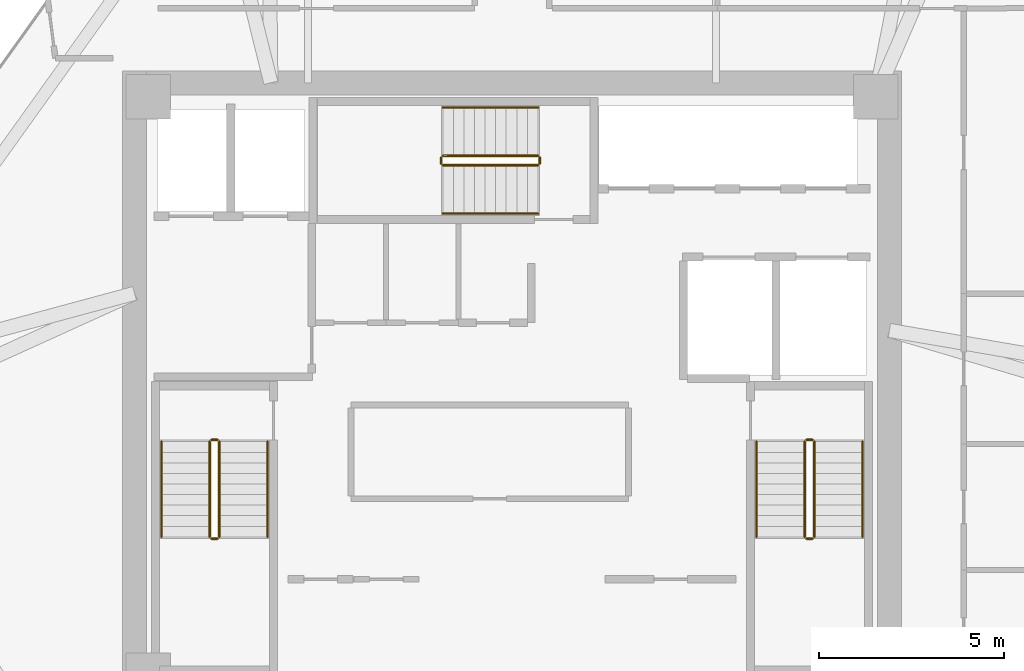
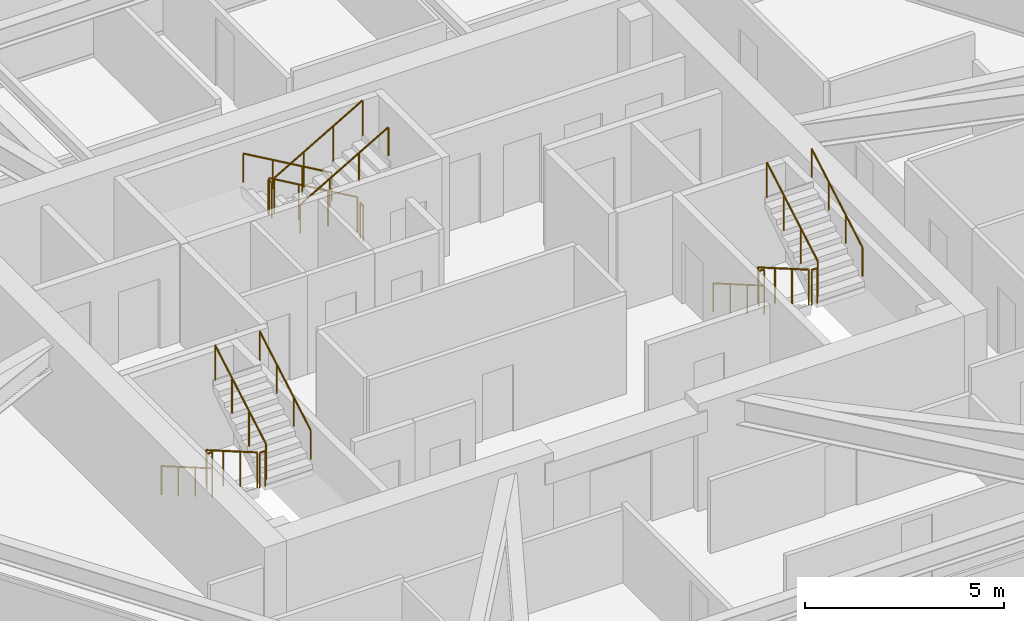
# One storey, part 11 of 11: 18 railings.
"""IFC4 building model written with IfcOpenShell, lengths in metres."""

import ifcopenshell
import ifcopenshell.guid

model = None  # the IFC model being written
_history = None  # IfcOwnerHistory: only IFC2X3 demands one
_inside = {}  # id of a spatial element -> (the spatial element, [elements in it])
_under = {}  # id of a project, library or spatial element -> (it, [spatial elements below it])
_declared = {}  # id of a project -> (the project, [libraries it declares])
_typed = {}  # id of a type object -> (the type object, [elements of that type])
_made_of = {}  # id of a material, layer set ... -> (it, [elements and type objects made of it])


def new_model(schema):
    """Start an empty IFC model of exactly this schema.

    Asked for "IFC4X3", IfcOpenShell would pick the latest addendum, in which some entities
    have other attributes; the version numbers below select the first issue.
    IFC2X3 requires an IfcOwnerHistory on every rooted entity: one is made here for all.
    """
    global model, _history
    if schema == "IFC4X3":
        model = ifcopenshell.file(schema_version=(4, 3, 0, 0))
    else:
        model = ifcopenshell.file(schema=schema)
    _inside.clear()
    _under.clear()
    _declared.clear()
    _typed.clear()
    _made_of.clear()
    _history = None
    if model.schema == "IFC2X3":
        org = make("IfcOrganization", Name="unknown")
        user = make(
            "IfcPersonAndOrganization",
            ThePerson=make("IfcPerson", FamilyName="unknown"),
            TheOrganization=org,
        )
        app = make(
            "IfcApplication",
            ApplicationDeveloper=org,
            Version="unknown",
            ApplicationFullName="unknown",
            ApplicationIdentifier="unknown",
        )
        _history = make(
            "IfcOwnerHistory",
            OwningUser=user,
            OwningApplication=app,
            ChangeAction="ADDED",
            CreationDate=0,
        )
    return model


def make(cls, **values):
    """One entity of the class cls with the attributes given. An attribute that is None is left unset."""
    return model.create_entity(
        cls, **{name: value for name, value in values.items() if value is not None}
    )


def rooted(cls, **values):
    """An entity with a GlobalId (a new one), such as an element, a storey or a relation."""
    return make(cls, GlobalId=ifcopenshell.guid.new(), OwnerHistory=_history, **values)


def si_unit(unit_type, name, prefix=None):
    """IfcSIUnit, for example si_unit("LENGTHUNIT", "METRE", prefix="MILLI")."""
    return make("IfcSIUnit", UnitType=unit_type, Prefix=prefix, Name=name)


def assignment(units):
    """IfcUnitAssignment: the units of a project."""
    return None if units is None else make("IfcUnitAssignment", Units=units)


def point(xyz):
    """IfcCartesianPoint."""
    return None if xyz is None else make("IfcCartesianPoint", Coordinates=xyz)


def direction(xyz):
    """IfcDirection."""
    return None if xyz is None else make("IfcDirection", DirectionRatios=xyz)


def frame(location, z_axis=None, x_axis=None):
    """IfcAxis2Placement3D, a coordinate frame: its origin and axes. An axis left out is left unset."""
    return make(
        "IfcAxis2Placement3D",
        Location=point(location),
        Axis=direction(z_axis),
        RefDirection=direction(x_axis),
    )


def frame_2d(location, x_axis=None):
    """IfcAxis2Placement2D, a coordinate frame in the plane: its origin and x axis."""
    return make(
        "IfcAxis2Placement2D", Location=point(location), RefDirection=direction(x_axis)
    )


def origin():
    """The frame at (0, 0, 0) with its axes left unset."""
    return frame((0.0, 0.0, 0.0))


def origin_2d():
    """The frame at (0, 0) in the plane with its x axis left unset."""
    return frame_2d((0.0, 0.0))


def place(relative_to, where):
    """IfcLocalPlacement: puts the frame where relative to a parent placement (None: the world)."""
    return make(
        "IfcLocalPlacement", PlacementRelTo=relative_to, RelativePlacement=where
    )


def context(
    kind, dimensions, precision=None, world=None, true_north=None, identifier=None
):
    """IfcGeometricRepresentationContext, for example the 3D "Model" context."""
    return make(
        "IfcGeometricRepresentationContext",
        ContextIdentifier=identifier,
        ContextType=kind,
        CoordinateSpaceDimension=dimensions,
        Precision=precision,
        WorldCoordinateSystem=world,
        TrueNorth=true_north,
    )


def subcontext(parent, identifier, kind, view, scale=None):
    """IfcGeometricRepresentationSubContext, for example "Body" below "Model"."""
    return make(
        "IfcGeometricRepresentationSubContext",
        ContextIdentifier=identifier,
        ContextType=kind,
        ParentContext=parent,
        TargetScale=scale,
        TargetView=view,
    )


def project(units=None, contexts=None):
    """IfcProject with its units and contexts."""
    return rooted(
        "IfcProject",
        Name="project",
        RepresentationContexts=contexts,
        UnitsInContext=assignment(units),
    )


def spatial(cls, under=None, at=None, **own):
    """A site, building, storey or space (cls), placed at a placement, below another one or the project."""
    s = rooted(cls, ObjectPlacement=at, **own)
    if under is not None:
        _under.setdefault(under.id(), (under, []))[1].append(s)
    return s


def profile(cls, at=None, kind="AREA", **sizes):
    """A parametric profile (cls). Its sizes go by their IFC names, for example OverallWidth=200.0."""
    return make(cls, ProfileType=kind, Position=at, **sizes)


def circle(**sizes):
    """IfcCircleProfileDef."""
    return profile("IfcCircleProfileDef", **sizes)


def extrude(swept, where, along, depth):
    """IfcExtrudedAreaSolid: the profile swept, set in the frame where, extruded along a direction by depth."""
    return make(
        "IfcExtrudedAreaSolid",
        SweptArea=swept,
        Position=where,
        ExtrudedDirection=direction(along),
        Depth=depth,
    )


def shape(context_of_items, identifier, shape_type, items):
    """IfcShapeRepresentation: the items that make up one representation, for example the "Body"."""
    return make(
        "IfcShapeRepresentation",
        ContextOfItems=context_of_items,
        RepresentationIdentifier=identifier,
        RepresentationType=shape_type,
        Items=items,
    )


def material(Name=None, Category=None):
    """IfcMaterial."""
    return make("IfcMaterial", Name=Name, Category=Category)


def made_of(thing, what):
    """Note that an element or type object is made of a material, layer set ...; save() writes the relation."""
    if what is not None:
        _made_of.setdefault(what.id(), (what, []))[1].append(thing)
    return thing


def type_object(cls, material=None, **own):
    """A type object (cls), such as IfcWallType, which elements share."""
    return made_of(rooted(cls, **own), material)


def element(
    cls,
    number,
    at=None,
    inside=None,
    cuts=None,
    type_object=None,
    material=None,
    context=None,
    identifier="Body",
    shape_type=None,
    held_by="IfcProductDefinitionShape",
    body=None,
    shapes=None,
    **own,
):
    """One element of the class cls, such as IfcWall. Its Tag is "e" and its number.

    at: its placement. inside: the storey or other place that contains it. cuts: it is an
    opening in that element (IfcRelVoidsElement). A single representation is given by context,
    identifier, shape_type and body (its items); several are given by shapes. held_by: the class
    of the entity that holds the representations. save() writes the other relations.
    """
    e = rooted(cls, Tag="e%d" % number, ObjectPlacement=at, **own)
    if body is not None:
        shapes = [shape(context, identifier, shape_type, body)]
    if shapes is not None:
        e.Representation = make(held_by, Representations=shapes)
    if inside is not None:
        _inside.setdefault(inside.id(), (inside, []))[1].append(e)
    if cuts is not None:
        rooted(
            "IfcRelVoidsElement", RelatingBuildingElement=cuts, RelatedOpeningElement=e
        )
    if type_object is not None:
        _typed.setdefault(type_object.id(), (type_object, []))[1].append(e)
    return made_of(e, material)


def aggregate(whole, parts):
    """IfcRelAggregates: a whole, such as a stair, and the parts it consists of."""
    return rooted("IfcRelAggregates", RelatingObject=whole, RelatedObjects=parts)


def save(model, path):
    """Write the relations noted so far, then the file.

    IfcRelAggregates (storeys below a building ...), IfcRelContainedInSpatialStructure (elements
    in a storey), IfcRelDefinesByType, IfcRelAssociatesMaterial and IfcRelDeclares: one each for
    every whole, place, type object, material and project.
    """
    for whole, parts in _under.values():
        aggregate(whole, parts)
    for where, things in _inside.values():
        rooted(
            "IfcRelContainedInSpatialStructure",
            RelatedElements=things,
            RelatingStructure=where,
        )
    for kind, things in _typed.values():
        rooted("IfcRelDefinesByType", RelatedObjects=things, RelatingType=kind)
    for what, things in _made_of.values():
        rooted("IfcRelAssociatesMaterial", RelatedObjects=things, RelatingMaterial=what)
    for by, libraries in _declared.values():
        rooted("IfcRelDeclares", RelatingContext=by, RelatedDefinitions=libraries)
    model.write(path)


model = new_model("IFC4")

# Units and contexts
model_context = context("Model", 3, precision=1e-05, world=origin(), true_north=direction((0.0, 1.0)))
body_context = subcontext(model_context, "Body", "Model", "MODEL_VIEW")
ifc_project = project(units=[si_unit("LENGTHUNIT", "METRE"), si_unit("AREAUNIT", "SQUARE_METRE"), si_unit("VOLUMEUNIT", "CUBIC_METRE"), si_unit("PLANEANGLEUNIT", "RADIAN"), si_unit("MASSUNIT", "GRAM", prefix="KILO")], contexts=[model_context])

# Site, building, storey
site_placement = place(None, origin())
site = spatial("IfcSite", under=ifc_project, at=site_placement, CompositionType="ELEMENT")
building_placement = place(site_placement, origin())
building = spatial("IfcBuilding", under=site, at=building_placement, Name="Durnholm Broadcast Tower", CompositionType="ELEMENT")
storey_placement = place(building_placement, frame((0.0, 0.0, 190.300048828125)))
storey = spatial("IfcBuildingStorey", under=building, at=storey_placement, Name="L52", CompositionType="ELEMENT", Elevation=190.300048828125)

# Railings
ifc_material_1 = material(Name="Painted Tubular Steel Stair Guardrail", Category="steel")
railing_type_1 = type_object("IfcRailingType", Name="RAIL-ST-GRD", PredefinedType="GUARDRAIL", material=ifc_material_1)
railing_1_placement = place(storey_placement, frame((-8.14990234375, -1.5, 0.1650390625)))
element("IfcRailing", 1, at=railing_1_placement, inside=storey, type_object=railing_type_1, Name="L52 ST-1 stair guard 1", PredefinedType="GUARDRAIL", context=body_context, shape_type="SweptSolid", body=[
    extrude(circle(Radius=0.02392578125, at=origin_2d()), frame((0.0, 0.0, 1.076171875), z_axis=(0.0, -0.865441324677, 0.50101029285), x_axis=(1.0, 0.0, 0.0)), (0.0, 0.0, 1.0), 2.963623046875),
    extrude(circle(Radius=0.02099609375, at=origin_2d()), origin(), (0.0, 0.0, 1.0), 1.052001953125),
    extrude(circle(Radius=0.02099609375, at=origin_2d()), frame((0.0, -0.85498046875, 0.494873046875)), (0.0, 0.0, 1.0), 1.052001953125),
    extrude(circle(Radius=0.02099609375, at=origin_2d()), frame((0.0, -1.7099609375, 0.989990234375)), (0.0, 0.0, 1.0), 1.052001953125),
    extrude(circle(Radius=0.02099609375, at=origin_2d()), frame((0.0, -2.56494140625, 1.48486328125)), (0.0, 0.0, 1.0), 1.052001953125),
])
railing_2_placement = place(storey_placement, frame((-8.10009765625, -4.114990234375, 1.64990234375)))
element("IfcRailing", 2, at=railing_2_placement, inside=storey, type_object=railing_type_1, Name="L52 ST-1 stair guard 2", PredefinedType="GUARDRAIL", context=body_context, shape_type="SweptSolid", body=[
    extrude(circle(Radius=0.02392578125, at=origin_2d()), frame((0.0, 0.0, 1.076171875), z_axis=(1.0, 0.0, 0.0), x_axis=(0.0, 1.0, 0.0)), (0.0, 0.0, 1.0), 0.16015625),
    extrude(circle(Radius=0.02099609375, at=origin_2d()), origin(), (0.0, 0.0, 1.0), 1.052001953125),
    extrude(circle(Radius=0.02099609375, at=origin_2d()), frame((0.16015625, 0.0, 0.0)), (0.0, 0.0, 1.0), 1.052001953125),
])
railing_3_placement = place(storey_placement, frame((-7.889892578125, -4.06494140625, 1.81494140625)))
element("IfcRailing", 3, at=railing_3_placement, inside=storey, type_object=railing_type_1, Name="L52 ST-1 stair guard 3", PredefinedType="GUARDRAIL", context=body_context, shape_type="SweptSolid", body=[
    extrude(circle(Radius=0.02392578125, at=origin_2d()), frame((0.0, 0.0, 1.076171875), z_axis=(0.0, 0.865405606168, 0.501071987656), x_axis=(-1.0, 0.0, 0.0)), (0.0, 0.0, 1.0), 2.9638671875),
    extrude(circle(Radius=0.02099609375, at=origin_2d()), origin(), (0.0, 0.0, 1.0), 1.052001953125),
    extrude(circle(Radius=0.02099609375, at=origin_2d()), frame((0.0, 0.85498046875, 0.4951171875)), (0.0, 0.0, 1.0), 1.052001953125),
    extrude(circle(Radius=0.02099609375, at=origin_2d()), frame((0.0, 1.7099609375, 0.989990234375)), (0.0, 0.0, 1.0), 1.052001953125),
    extrude(circle(Radius=0.02099609375, at=origin_2d()), frame((0.0, 2.56494140625, 1.485107421875)), (0.0, 0.0, 1.0), 1.052001953125),
])
railing_4_placement = place(storey_placement, frame((-8.10009765625, -1.449951171875, 0.0)))
element("IfcRailing", 4, at=railing_4_placement, inside=storey, type_object=railing_type_1, Name="L52 ST-1 stair guard 4", PredefinedType="GUARDRAIL", context=body_context, shape_type="SweptSolid", body=[
    extrude(circle(Radius=0.02392578125, at=origin_2d()), frame((0.0, 0.0, 1.076171875), z_axis=(1.0, 0.0, 0.0), x_axis=(0.0, 1.0, 0.0)), (0.0, 0.0, 1.0), 0.16015625),
    extrude(circle(Radius=0.02099609375, at=origin_2d()), origin(), (0.0, 0.0, 1.0), 1.052001953125),
    extrude(circle(Radius=0.02099609375, at=origin_2d()), frame((0.16015625, 0.0, 0.0)), (0.0, 0.0, 1.0), 1.052001953125),
])
railing_5_placement = place(storey_placement, frame((7.889892578125, -1.5, 0.1650390625)))
element("IfcRailing", 5, at=railing_5_placement, inside=storey, type_object=railing_type_1, Name="L52 ST-2 stair guard 1", PredefinedType="GUARDRAIL", context=body_context, shape_type="SweptSolid", body=[
    extrude(circle(Radius=0.02392578125, at=origin_2d()), frame((0.0, 0.0, 1.076171875), z_axis=(0.0, -0.865441324677, 0.50101029285), x_axis=(1.0, 0.0, 0.0)), (0.0, 0.0, 1.0), 2.963623046875),
    extrude(circle(Radius=0.02099609375, at=origin_2d()), origin(), (0.0, 0.0, 1.0), 1.052001953125),
    extrude(circle(Radius=0.02099609375, at=origin_2d()), frame((0.0, -0.85498046875, 0.494873046875)), (0.0, 0.0, 1.0), 1.052001953125),
    extrude(circle(Radius=0.02099609375, at=origin_2d()), frame((0.0, -1.7099609375, 0.989990234375)), (0.0, 0.0, 1.0), 1.052001953125),
    extrude(circle(Radius=0.02099609375, at=origin_2d()), frame((0.0, -2.56494140625, 1.48486328125)), (0.0, 0.0, 1.0), 1.052001953125),
])
railing_6_placement = place(storey_placement, frame((7.93994140625, -4.114990234375, 1.64990234375)))
element("IfcRailing", 6, at=railing_6_placement, inside=storey, type_object=railing_type_1, Name="L52 ST-2 stair guard 2", PredefinedType="GUARDRAIL", context=body_context, shape_type="SweptSolid", body=[
    extrude(circle(Radius=0.02392578125, at=origin_2d()), frame((0.0, 0.0, 1.076171875), z_axis=(1.0, 0.0, 0.0), x_axis=(0.0, 1.0, 0.0)), (0.0, 0.0, 1.0), 0.16015625),
    extrude(circle(Radius=0.02099609375, at=origin_2d()), origin(), (0.0, 0.0, 1.0), 1.052001953125),
    extrude(circle(Radius=0.02099609375, at=origin_2d()), frame((0.16015625, 0.0, 0.0)), (0.0, 0.0, 1.0), 1.052001953125),
])
railing_7_placement = place(storey_placement, frame((8.14990234375, -4.06494140625, 1.81494140625)))
element("IfcRailing", 7, at=railing_7_placement, inside=storey, type_object=railing_type_1, Name="L52 ST-2 stair guard 3", PredefinedType="GUARDRAIL", context=body_context, shape_type="SweptSolid", body=[
    extrude(circle(Radius=0.02392578125, at=origin_2d()), frame((0.0, 0.0, 1.076171875), z_axis=(0.0, 0.865405606168, 0.501071987656), x_axis=(-1.0, 0.0, 0.0)), (0.0, 0.0, 1.0), 2.9638671875),
    extrude(circle(Radius=0.02099609375, at=origin_2d()), origin(), (0.0, 0.0, 1.0), 1.052001953125),
    extrude(circle(Radius=0.02099609375, at=origin_2d()), frame((0.0, 0.85498046875, 0.4951171875)), (0.0, 0.0, 1.0), 1.052001953125),
    extrude(circle(Radius=0.02099609375, at=origin_2d()), frame((0.0, 1.7099609375, 0.989990234375)), (0.0, 0.0, 1.0), 1.052001953125),
    extrude(circle(Radius=0.02099609375, at=origin_2d()), frame((0.0, 2.56494140625, 1.485107421875)), (0.0, 0.0, 1.0), 1.052001953125),
])
railing_8_placement = place(storey_placement, frame((7.93994140625, -1.449951171875, 0.0)))
element("IfcRailing", 8, at=railing_8_placement, inside=storey, type_object=railing_type_1, Name="L52 ST-2 stair guard 4", PredefinedType="GUARDRAIL", context=body_context, shape_type="SweptSolid", body=[
    extrude(circle(Radius=0.02392578125, at=origin_2d()), frame((0.0, 0.0, 1.076171875), z_axis=(1.0, 0.0, 0.0), x_axis=(0.0, 1.0, 0.0)), (0.0, 0.0, 1.0), 0.16015625),
    extrude(circle(Radius=0.02099609375, at=origin_2d()), origin(), (0.0, 0.0, 1.0), 1.052001953125),
    extrude(circle(Radius=0.02099609375, at=origin_2d()), frame((0.16015625, 0.0, 0.0)), (0.0, 0.0, 1.0), 1.052001953125),
])
railing_9_placement = place(storey_placement, frame((0.699951171875, 6.2099609375, 0.1650390625)))
element("IfcRailing", 9, at=railing_9_placement, inside=storey, type_object=railing_type_1, Name="L52 ST-3 stair guard 1", PredefinedType="GUARDRAIL", context=body_context, shape_type="SweptSolid", body=[
    extrude(circle(Radius=0.02392578125, at=origin_2d()), frame((0.0, 0.0, 1.076171875), z_axis=(-0.865441324677, 0.0, 0.50101029285), x_axis=(0.0, -1.0, 0.0)), (0.0, 0.0, 1.0), 2.963623046875),
    extrude(circle(Radius=0.02099609375, at=origin_2d()), origin(), (0.0, 0.0, 1.0), 1.052001953125),
    extrude(circle(Radius=0.02099609375, at=origin_2d()), frame((-0.85498046875, 0.0, 0.494873046875)), (0.0, 0.0, 1.0), 1.052001953125),
    extrude(circle(Radius=0.02099609375, at=origin_2d()), frame((-1.7099609375, 0.0, 0.989990234375)), (0.0, 0.0, 1.0), 1.052001953125),
    extrude(circle(Radius=0.02099609375, at=origin_2d()), frame((-2.56494140625, 0.0, 1.48486328125)), (0.0, 0.0, 1.0), 1.052001953125),
])
railing_10_placement = place(storey_placement, frame((-1.9150390625, 6.159912109375, 1.64990234375)))
element("IfcRailing", 10, at=railing_10_placement, inside=storey, type_object=railing_type_1, Name="L52 ST-3 stair guard 2", PredefinedType="GUARDRAIL", context=body_context, shape_type="SweptSolid", body=[
    extrude(circle(Radius=0.02392578125, at=origin_2d()), frame((0.0, 0.0, 1.076171875), z_axis=(0.0, -1.0, 0.0), x_axis=(1.0, 0.0, 0.0)), (0.0, 0.0, 1.0), 0.159912109375),
    extrude(circle(Radius=0.02099609375, at=origin_2d()), origin(), (0.0, 0.0, 1.0), 1.052001953125),
    extrude(circle(Radius=0.02099609375, at=origin_2d()), frame((0.0, -0.159912109375, 0.0)), (0.0, 0.0, 1.0), 1.052001953125),
])
railing_11_placement = place(storey_placement, frame((-1.864990234375, 5.949951171875, 1.81494140625)))
element("IfcRailing", 11, at=railing_11_placement, inside=storey, type_object=railing_type_1, Name="L52 ST-3 stair guard 3", PredefinedType="GUARDRAIL", context=body_context, shape_type="SweptSolid", body=[
    extrude(circle(Radius=0.02392578125, at=origin_2d()), frame((0.0, 0.0, 1.076171875), z_axis=(0.865405606168, 0.0, 0.501071987656), x_axis=(0.0, 1.0, 0.0)), (0.0, 0.0, 1.0), 2.9638671875),
    extrude(circle(Radius=0.02099609375, at=origin_2d()), origin(), (0.0, 0.0, 1.0), 1.052001953125),
    extrude(circle(Radius=0.02099609375, at=origin_2d()), frame((0.85498046875, 0.0, 0.4951171875)), (0.0, 0.0, 1.0), 1.052001953125),
    extrude(circle(Radius=0.02099609375, at=origin_2d()), frame((1.7099609375, 0.0, 0.989990234375)), (0.0, 0.0, 1.0), 1.052001953125),
    extrude(circle(Radius=0.02099609375, at=origin_2d()), frame((2.56494140625, 0.0, 1.485107421875)), (0.0, 0.0, 1.0), 1.052001953125),
])
railing_12_placement = place(storey_placement, frame((0.75, 6.159912109375, 0.0)))
element("IfcRailing", 12, at=railing_12_placement, inside=storey, type_object=railing_type_1, Name="L52 ST-3 stair guard 4", PredefinedType="GUARDRAIL", context=body_context, shape_type="SweptSolid", body=[
    extrude(circle(Radius=0.02392578125, at=origin_2d()), frame((0.0, 0.0, 1.076171875), z_axis=(0.0, -1.0, 0.0), x_axis=(1.0, 0.0, 0.0)), (0.0, 0.0, 1.0), 0.159912109375),
    extrude(circle(Radius=0.02099609375, at=origin_2d()), origin(), (0.0, 0.0, 1.0), 1.052001953125),
    extrude(circle(Radius=0.02099609375, at=origin_2d()), frame((0.0, -0.159912109375, 0.0)), (0.0, 0.0, 1.0), 1.052001953125),
])
ifc_material_2 = material(Name="Brushed Stainless Steel Handrail", Category="steel")
railing_type_2 = type_object("IfcRailingType", Name="RAIL-ST-HND", PredefinedType="HANDRAIL", material=ifc_material_2)
railing_13_placement = place(storey_placement, frame((-9.449951171875, -1.5, 0.329833984375)))
element("IfcRailing", 13, at=railing_13_placement, inside=storey, type_object=railing_type_2, Name="L52 ST-1 stair handrail 1", PredefinedType="HANDRAIL", context=body_context, shape_type="SweptSolid", body=[
    extrude(circle(Radius=0.02392578125, at=origin_2d()), frame((0.0, 0.0, 0.8759765625), z_axis=(0.0, -0.865405606168, 0.501071987656), x_axis=(1.0, 0.0, 0.0)), (0.0, 0.0, 1.0), 2.9638671875),
    extrude(circle(Radius=0.02099609375, at=origin_2d()), origin(), (0.0, 0.0, 1.0), 0.851806640625),
    extrude(circle(Radius=0.02099609375, at=origin_2d()), frame((0.0, -0.85498046875, 0.4951171875)), (0.0, 0.0, 1.0), 0.851806640625),
    extrude(circle(Radius=0.02099609375, at=origin_2d()), frame((0.0, -1.7099609375, 0.989990234375)), (0.0, 0.0, 1.0), 0.851806640625),
    extrude(circle(Radius=0.02099609375, at=origin_2d()), frame((0.0, -2.56494140625, 1.485107421875)), (0.0, 0.0, 1.0), 0.851806640625),
])
railing_14_placement = place(storey_placement, frame((-6.590087890625, -4.06494140625, 1.97998046875)))
element("IfcRailing", 14, at=railing_14_placement, inside=storey, type_object=railing_type_2, Name="L52 ST-1 stair handrail 2", PredefinedType="HANDRAIL", context=body_context, shape_type="SweptSolid", body=[
    extrude(circle(Radius=0.02392578125, at=origin_2d()), frame((0.0, 0.0, 0.8759765625), z_axis=(0.0, 0.865441324677, 0.50101029285), x_axis=(-1.0, 0.0, 0.0)), (0.0, 0.0, 1.0), 2.963623046875),
    extrude(circle(Radius=0.02099609375, at=origin_2d()), origin(), (0.0, 0.0, 1.0), 0.851806640625),
    extrude(circle(Radius=0.02099609375, at=origin_2d()), frame((0.0, 0.85498046875, 0.494873046875)), (0.0, 0.0, 1.0), 0.851806640625),
    extrude(circle(Radius=0.02099609375, at=origin_2d()), frame((0.0, 1.7099609375, 0.989990234375)), (0.0, 0.0, 1.0), 0.851806640625),
    extrude(circle(Radius=0.02099609375, at=origin_2d()), frame((0.0, 2.56494140625, 1.48486328125)), (0.0, 0.0, 1.0), 0.851806640625),
])
railing_15_placement = place(storey_placement, frame((6.590087890625, -1.5, 0.329833984375)))
element("IfcRailing", 15, at=railing_15_placement, inside=storey, type_object=railing_type_2, Name="L52 ST-2 stair handrail 1", PredefinedType="HANDRAIL", context=body_context, shape_type="SweptSolid", body=[
    extrude(circle(Radius=0.02392578125, at=origin_2d()), frame((0.0, 0.0, 0.8759765625), z_axis=(0.0, -0.865405606168, 0.501071987656), x_axis=(1.0, 0.0, 0.0)), (0.0, 0.0, 1.0), 2.9638671875),
    extrude(circle(Radius=0.02099609375, at=origin_2d()), origin(), (0.0, 0.0, 1.0), 0.851806640625),
    extrude(circle(Radius=0.02099609375, at=origin_2d()), frame((0.0, -0.85498046875, 0.4951171875)), (0.0, 0.0, 1.0), 0.851806640625),
    extrude(circle(Radius=0.02099609375, at=origin_2d()), frame((0.0, -1.7099609375, 0.989990234375)), (0.0, 0.0, 1.0), 0.851806640625),
    extrude(circle(Radius=0.02099609375, at=origin_2d()), frame((0.0, -2.56494140625, 1.485107421875)), (0.0, 0.0, 1.0), 0.851806640625),
])
railing_16_placement = place(storey_placement, frame((9.449951171875, -4.06494140625, 1.97998046875)))
element("IfcRailing", 16, at=railing_16_placement, inside=storey, type_object=railing_type_2, Name="L52 ST-2 stair handrail 2", PredefinedType="HANDRAIL", context=body_context, shape_type="SweptSolid", body=[
    extrude(circle(Radius=0.02392578125, at=origin_2d()), frame((0.0, 0.0, 0.8759765625), z_axis=(0.0, 0.865441324677, 0.50101029285), x_axis=(-1.0, 0.0, 0.0)), (0.0, 0.0, 1.0), 2.963623046875),
    extrude(circle(Radius=0.02099609375, at=origin_2d()), origin(), (0.0, 0.0, 1.0), 0.851806640625),
    extrude(circle(Radius=0.02099609375, at=origin_2d()), frame((0.0, 0.85498046875, 0.494873046875)), (0.0, 0.0, 1.0), 0.851806640625),
    extrude(circle(Radius=0.02099609375, at=origin_2d()), frame((0.0, 1.7099609375, 0.989990234375)), (0.0, 0.0, 1.0), 0.851806640625),
    extrude(circle(Radius=0.02099609375, at=origin_2d()), frame((0.0, 2.56494140625, 1.48486328125)), (0.0, 0.0, 1.0), 0.851806640625),
])
railing_17_placement = place(storey_placement, frame((0.699951171875, 7.510009765625, 0.329833984375)))
element("IfcRailing", 17, at=railing_17_placement, inside=storey, type_object=railing_type_2, Name="L52 ST-3 stair handrail 1", PredefinedType="HANDRAIL", context=body_context, shape_type="SweptSolid", body=[
    extrude(circle(Radius=0.02392578125, at=origin_2d()), frame((0.0, 0.0, 0.8759765625), z_axis=(-0.865405606168, 0.0, 0.501071987656), x_axis=(0.0, -1.0, 0.0)), (0.0, 0.0, 1.0), 2.9638671875),
    extrude(circle(Radius=0.02099609375, at=origin_2d()), origin(), (0.0, 0.0, 1.0), 0.851806640625),
    extrude(circle(Radius=0.02099609375, at=origin_2d()), frame((-0.85498046875, 0.0, 0.4951171875)), (0.0, 0.0, 1.0), 0.851806640625),
    extrude(circle(Radius=0.02099609375, at=origin_2d()), frame((-1.7099609375, 0.0, 0.989990234375)), (0.0, 0.0, 1.0), 0.851806640625),
    extrude(circle(Radius=0.02099609375, at=origin_2d()), frame((-2.56494140625, 0.0, 1.485107421875)), (0.0, 0.0, 1.0), 0.851806640625),
])
railing_18_placement = place(storey_placement, frame((-1.864990234375, 4.64990234375, 1.97998046875)))
element("IfcRailing", 18, at=railing_18_placement, inside=storey, type_object=railing_type_2, Name="L52 ST-3 stair handrail 2", PredefinedType="HANDRAIL", context=body_context, shape_type="SweptSolid", body=[
    extrude(circle(Radius=0.02392578125, at=origin_2d()), frame((0.0, 0.0, 0.8759765625), z_axis=(0.865441324677, 0.0, 0.50101029285), x_axis=(0.0, 1.0, 0.0)), (0.0, 0.0, 1.0), 2.963623046875),
    extrude(circle(Radius=0.02099609375, at=origin_2d()), origin(), (0.0, 0.0, 1.0), 0.851806640625),
    extrude(circle(Radius=0.02099609375, at=origin_2d()), frame((0.85498046875, 0.0, 0.494873046875)), (0.0, 0.0, 1.0), 0.851806640625),
    extrude(circle(Radius=0.02099609375, at=origin_2d()), frame((1.7099609375, 0.0, 0.989990234375)), (0.0, 0.0, 1.0), 0.851806640625),
    extrude(circle(Radius=0.02099609375, at=origin_2d()), frame((2.56494140625, 0.0, 1.48486328125)), (0.0, 0.0, 1.0), 0.851806640625),
])

save(model, "model.ifc")
